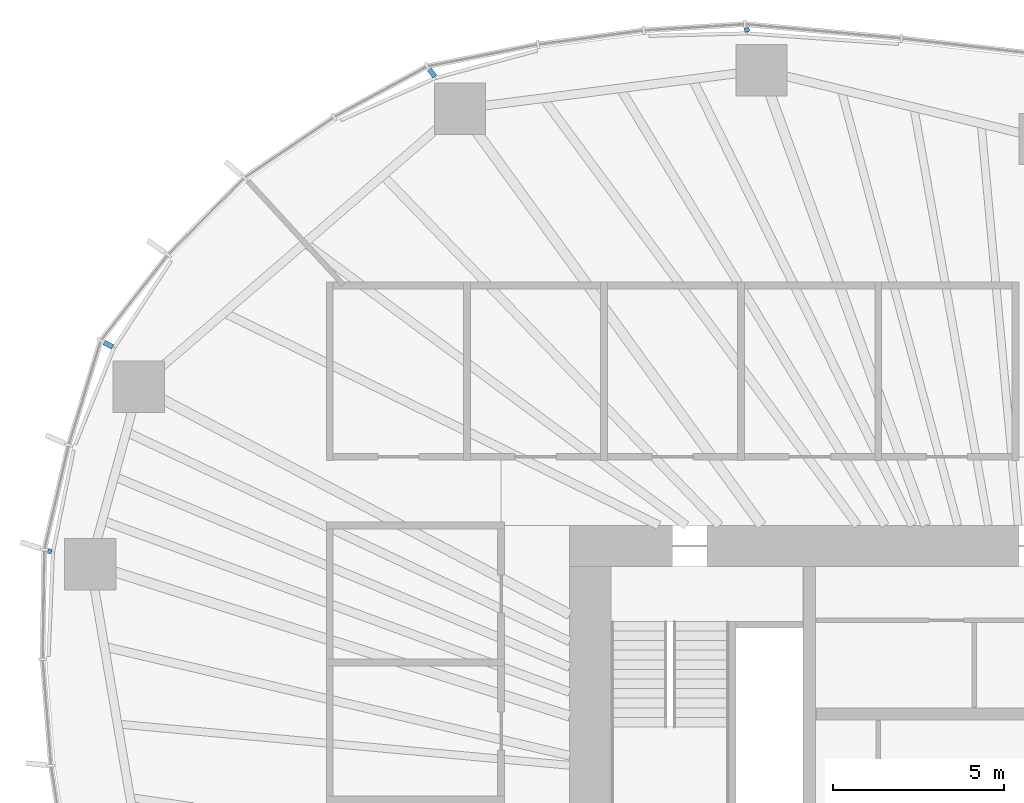
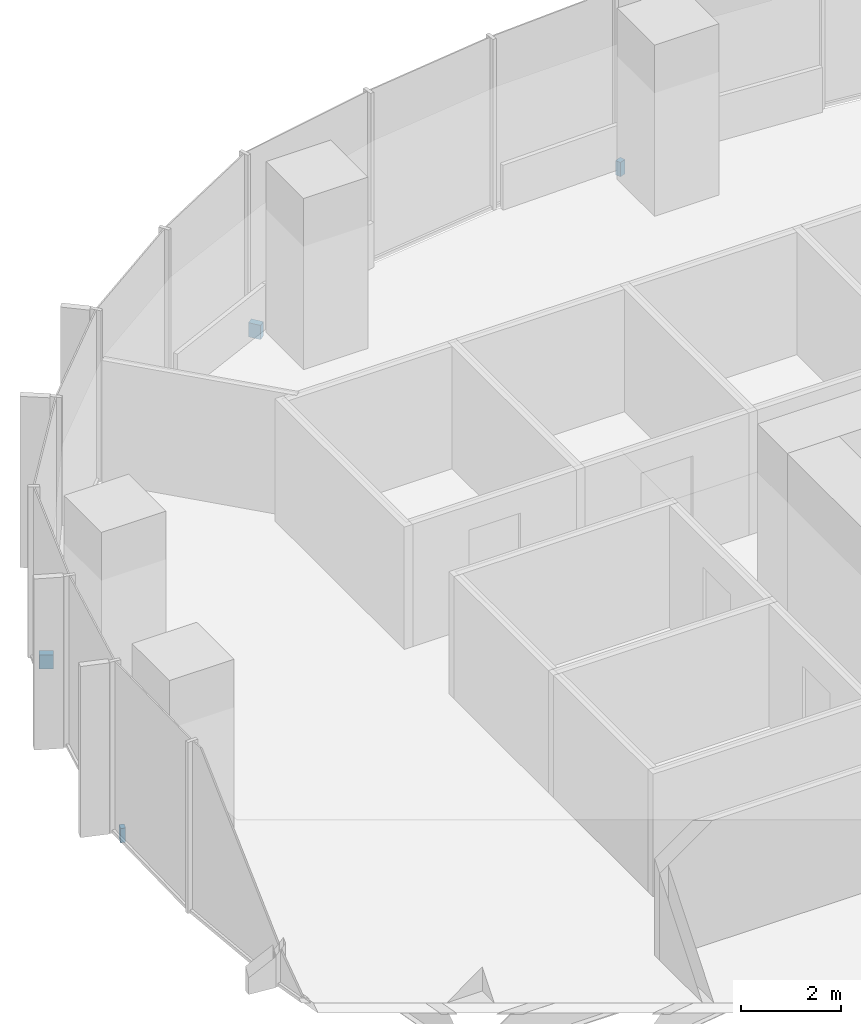
# One storey, part 15 of 18: 4 discrete accessories.
"""IFC4 building model written with IfcOpenShell, lengths in metres."""

from ifc_helpers import new_model, si_unit, direction, frame, origin, origin_2d, place, context, subcontext, project, spatial, rectangle, extrude, material, type_object, element, save


model = new_model("IFC4")

# Units and contexts
model_context = context("Model", 3, precision=1e-05, world=origin(), true_north=direction((0.0, 1.0)))
body_context = subcontext(model_context, "Body", "Model", "MODEL_VIEW")
ifc_project = project(units=[si_unit("LENGTHUNIT", "METRE"), si_unit("AREAUNIT", "SQUARE_METRE"), si_unit("VOLUMEUNIT", "CUBIC_METRE"), si_unit("PLANEANGLEUNIT", "RADIAN"), si_unit("MASSUNIT", "GRAM", prefix="KILO")], contexts=[model_context])

# Site, building, storey
site_placement = place(None, origin())
site = spatial("IfcSite", under=ifc_project, at=site_placement, CompositionType="ELEMENT")
building_placement = place(site_placement, origin())
building = spatial("IfcBuilding", under=site, at=building_placement, Name="Ghaith Harvest Tower", CompositionType="ELEMENT")
storey_placement = place(building_placement, frame((0.0, 0.0, 138.60009765625)))
storey = spatial("IfcBuildingStorey", under=building, at=storey_placement, Name="L29", CompositionType="ELEMENT", Elevation=138.60009765625)

# Discrete accessories
ifc_material_1 = material(Name="Stainless steel grade 1.4401", Category="steel")
discrete_accessory_type_1 = type_object("IfcDiscreteAccessoryType", Name="CURTAIN WALL BRACKET 105", PredefinedType="BRACKET", material=ifc_material_1)
discrete_accessory_1_placement = place(storey_placement, frame((-29.171875, 9.2451171875, -0.250244140625), z_axis=(0.0, 0.0, 1.0), x_axis=(-0.953273219358, 0.302109531884, 0.0)))
element("IfcDiscreteAccessory", 1, at=discrete_accessory_1_placement, inside=storey, type_object=discrete_accessory_type_1, Name="CW-L bracket 1 bay 10 L29", PredefinedType="BRACKET", context=body_context, shape_type="SweptSolid", body=[
    extrude(rectangle(XDim=0.10498046875, YDim=0.14990234375, at=origin_2d()), origin(), (0.0, 0.0, 1.0), 0.35009765625),
])
ifc_material_2 = material(Name="Stainless steel grade 1.4401", Category="steel")
discrete_accessory_type_2 = type_object("IfcDiscreteAccessoryType", Name="CURTAIN WALL BRACKET 125", PredefinedType="BRACKET", material=ifc_material_2)
discrete_accessory_2_placement = place(storey_placement, frame((-8.833984375, 24.45849609375, -0.250244140625), z_axis=(0.0, 0.0, 1.0), x_axis=(-0.339699453402, 0.94053404051, 0.0)))
element("IfcDiscreteAccessory", 2, at=discrete_accessory_2_placement, inside=storey, type_object=discrete_accessory_type_2, Name="CW-L bracket 1 bay 07 L29", PredefinedType="BRACKET", context=body_context, shape_type="SweptSolid", body=[
    extrude(rectangle(XDim=0.125, YDim=0.14990234375, at=origin_2d()), origin(), (0.0, 0.0, 1.0), 0.35009765625),
])
ifc_material_3 = material(Name="Stainless steel grade 1.4401", Category="steel")
discrete_accessory_type_3 = type_object("IfcDiscreteAccessoryType", Name="CURTAIN WALL BRACKET 265", PredefinedType="BRACKET", material=ifc_material_3)
discrete_accessory_3_placement = place(storey_placement, frame((-18.0166015625, 23.197998046875, -0.250244140625), z_axis=(0.0, 0.0, 1.0), x_axis=(-0.613377714422, 0.78978970584, 0.0)))
element("IfcDiscreteAccessory", 3, at=discrete_accessory_3_placement, inside=storey, type_object=discrete_accessory_type_3, Name="CW-L bracket 1 bay 08 L29", PredefinedType="BRACKET", context=body_context, shape_type="SweptSolid", body=[
    extrude(rectangle(XDim=0.264892578125, YDim=0.14990234375, at=origin_2d()), origin(), (0.0, 0.0, 1.0), 0.35009765625),
])
ifc_material_4 = material(Name="Stainless steel grade 1.4401", Category="steel")
discrete_accessory_type_4 = type_object("IfcDiscreteAccessoryType", Name="CURTAIN WALL BRACKET 285", PredefinedType="BRACKET", material=ifc_material_4)
discrete_accessory_4_placement = place(storey_placement, frame((-27.45849609375, 15.271728515625, -0.250244140625), z_axis=(0.0, 0.0, 1.0), x_axis=(-0.873926916005, 0.486057347935, 0.0)))
element("IfcDiscreteAccessory", 4, at=discrete_accessory_4_placement, inside=storey, type_object=discrete_accessory_type_4, Name="CW-L bracket 2 bay 09 L29", PredefinedType="BRACKET", context=body_context, shape_type="SweptSolid", body=[
    extrude(rectangle(XDim=0.284912109375, YDim=0.14990234375, at=origin_2d()), origin(), (0.0, 0.0, 1.0), 0.35009765625),
])

save(model, "model.ifc")
